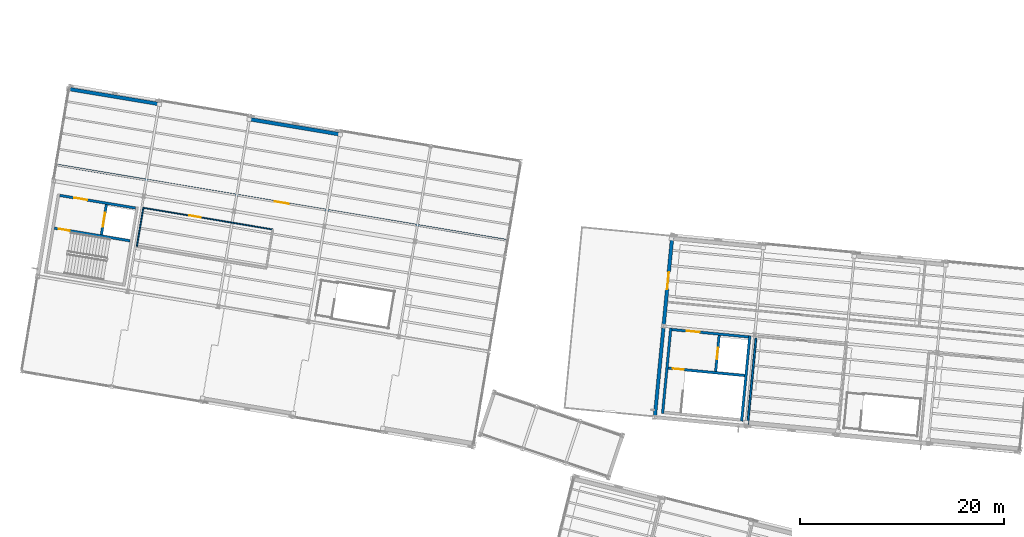
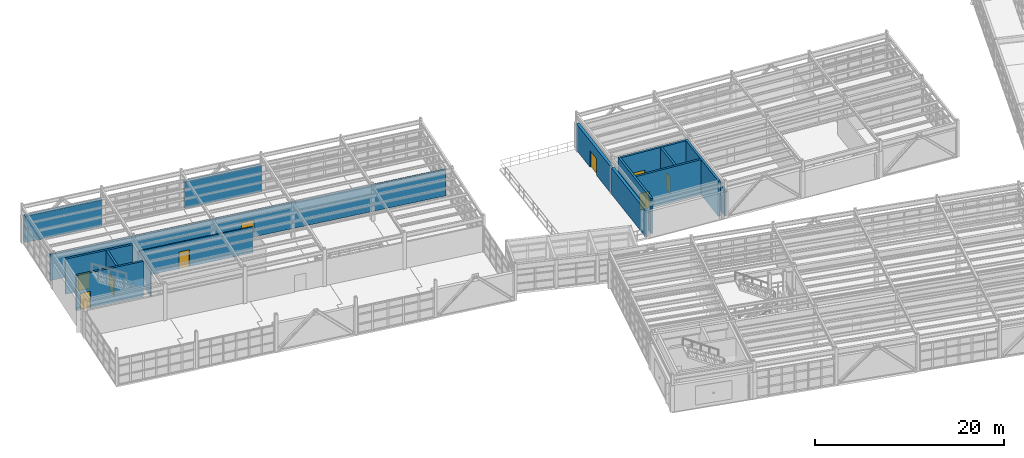
# One storey, part 88 of 102: 16 walls, 9 doors, 9 openings.
"""IFC4 building model written with IfcOpenShell, lengths in metres."""

from ifc_helpers import new_model, si_unit, direction, frame, frame_2d, origin, origin_with_axes, place, context, subcontext, project, spatial, rectangle, extrude, material, layer, layer_set, type_object, element, fill, save


model = new_model("IFC4")

# Units and contexts
model_context = context("Model", 3, precision=1e-05, world=origin(), true_north=direction((0.0, 1.0)))
body_context = subcontext(model_context, "Body", "Model", "MODEL_VIEW")
ifc_project = project(units=[si_unit("LENGTHUNIT", "METRE"), si_unit("AREAUNIT", "SQUARE_METRE"), si_unit("VOLUMEUNIT", "CUBIC_METRE"), si_unit("PLANEANGLEUNIT", "RADIAN"), si_unit("MASSUNIT", "GRAM", prefix="KILO")], contexts=[model_context])

# Site, building, storey
site_placement = place(None, origin())
site = spatial("IfcSite", under=ifc_project, at=site_placement, CompositionType="ELEMENT")
building_placement = place(site_placement, origin())
building = spatial("IfcBuilding", under=site, at=building_placement, Name="Vireo Bluff Cable Station", CompositionType="ELEMENT")
storey_placement = place(building_placement, frame((0.0, 0.0, 9.60009765625)))
storey = spatial("IfcBuildingStorey", under=building, at=storey_placement, Name="L02", CompositionType="ELEMENT", Elevation=9.60009765625)

# Wall
ifc_material_1 = material(Name="Precast concrete f'c 45 MPa", Category="concrete")
ifc_layer_1 = layer(ifc_material_1, 0.340087890625, Name="Precast concrete f'c 45 MPa")
ifc_layer_set_1 = layer_set([ifc_layer_1], Name="Precast concrete f'c 45 MPa")
wall_type_1 = type_object("IfcWallType", Name="EW-PRECAST-340", PredefinedType="SOLIDWALL", material=ifc_layer_set_1)
wall_1_placement = place(storey_placement, frame((67.753662109375, 67.16650390625, 0.0), z_axis=(0.0, 0.0, 1.0), x_axis=(0.095847112908, 0.995396067376, 0.0)))
element("IfcWall", 1, at=wall_1_placement, inside=storey, type_object=wall_type_1, Name="V3 L02 west exterior wall 61", PredefinedType="SOLIDWALL", context=body_context, shape_type="SweptSolid", body=[
    extrude(rectangle(XDim=8.66796875, YDim=0.340087890625, at=frame_2d((4.333984375, 0.0))), origin(), (0.0, 0.0, 1.0), 3.39990234375),
])

# Wall, opening, door
ifc_layer_2 = layer(ifc_material_1, 0.35009765625, Name="Precast concrete f'c 45 MPa")
ifc_layer_set_2 = layer_set([ifc_layer_2], Name="Precast concrete f'c 45 MPa")
wall_type_2 = type_object("IfcWallType", Name="EW-PRECAST-350", PredefinedType="SOLIDWALL", material=ifc_layer_set_2)
wall_2_placement = place(storey_placement, frame((68.616943359375, 76.130126953125, 0.0), z_axis=(0.0, 0.0, 1.0), x_axis=(0.095843582642, 0.9953964073, 0.0)))
wall_2 = element("IfcWall", 2, at=wall_2_placement, inside=storey, type_object=wall_type_2, Name="V3 L02 west exterior wall 62", PredefinedType="SOLIDWALL", context=body_context, shape_type="SweptSolid", body=[
    extrude(rectangle(XDim=8.653076171875, YDim=0.35009765625, at=frame_2d((4.32666015625, 0.0))), origin(), (0.0, 0.0, 1.0), 3.39990234375),
])
opening_1_placement = place(wall_2_placement, frame((3.4765625, 0.0, 0.0)))
opening_1 = element("IfcOpeningElement", 3, at=opening_1_placement, cuts=wall_2, Name="Opening TD-001", PredefinedType="OPENING", context=body_context, shape_type="SweptSolid", body=[
    extrude(rectangle(XDim=1.699951171875, YDim=2.14990234375, at=frame_2d((0.85009765625, 1.074951171875))), frame((0.0, 0.18505859375, 0.0), z_axis=(0.0, -1.0, 0.0), x_axis=(1.0, 0.0, 0.0)), (0.0, 0.0, 1.0), 0.3701171875),
])
ifc_material_2 = material(Name="Anodized Aluminium 6063-T6", Category="aluminium")
door_type_1 = type_object("IfcDoorType", Name="TDOOR-1700X2150", OperationType="NOTDEFINED", PredefinedType="DOOR", material=ifc_material_2)
door_1_placement = place(opening_1_placement, origin_with_axes())
door_1 = element("IfcDoor", 4, at=door_1_placement, inside=storey, type_object=door_type_1, Name="V3 L02 terrace access door TD-001", OperationType="SINGLE_SWING_RIGHT", OverallHeight=2.14990234375, OverallWidth=1.699951171875, PredefinedType="DOOR", context=body_context, shape_type="SweptSolid", body=[
    extrude(rectangle(XDim=1.699951171875, YDim=2.14990234375, at=frame_2d((0.85009765625, 1.074951171875))), frame((0.0, 0.02490234375, 0.0), z_axis=(0.0, -1.0, 0.0), x_axis=(1.0, 0.0, 0.0)), (0.0, 0.0, 1.0), 0.050048828125),
])
fill(opening_1, door_1)

# Walls
wall_3_placement = place(storey_placement, frame((10.275390625, 99.25244140625, 0.0), z_axis=(0.0, 0.0, 1.0), x_axis=(0.986283882276, -0.165057879432, 0.0)))
element("IfcWall", 5, at=wall_3_placement, inside=storey, type_object=wall_type_2, Name="V4 L02 north exterior wall 82", PredefinedType="SOLIDWALL", context=body_context, shape_type="SweptSolid", body=[
    extrude(rectangle(XDim=8.7119140625, YDim=0.35009765625, at=frame_2d((4.35595703125, 0.0))), origin(), (0.0, 0.0, 1.0), 3.39990234375),
])
ifc_layer_3 = layer(ifc_material_1, 0.360107421875, Name="Precast concrete f'c 45 MPa")
ifc_layer_set_3 = layer_set([ifc_layer_3], Name="Precast concrete f'c 45 MPa")
wall_type_3 = type_object("IfcWallType", Name="EW-PRECAST-360", PredefinedType="SOLIDWALL", material=ifc_layer_set_3)
wall_4_placement = place(storey_placement, frame((28.05517578125, 96.277099609375, 0.0), z_axis=(0.0, 0.0, 1.0), x_axis=(0.986286953928, -0.16503952409, 0.0)))
element("IfcWall", 6, at=wall_4_placement, inside=storey, type_object=wall_type_3, Name="V4 L02 north exterior wall 83", PredefinedType="SOLIDWALL", context=body_context, shape_type="SweptSolid", body=[
    extrude(rectangle(XDim=8.71435546875, YDim=0.360107421875, at=frame_2d((4.357177734375, 0.0))), origin(), (0.0, 0.0, 1.0), 3.39990234375),
])

# Wall, opening, door
ifc_material_3 = material(Name="Fire-Rated Gypsum Board Partition")
ifc_layer_4 = layer(ifc_material_3, 0.110107421875, Name="Fire-Rated Gypsum Board Partition")
ifc_layer_set_4 = layer_set([ifc_layer_4], Name="Fire-Rated Gypsum Board Partition")
wall_type_4 = type_object("IfcWallType", Name="PT-1HR-110", PredefinedType="PARTITIONING", material=ifc_layer_set_4)
wall_5_placement = place(storey_placement, frame((17.470703125, 87.594970703125, 0.0), z_axis=(0.0, 0.0, 1.0), x_axis=(0.986284755488, -0.165052661574, 0.0)))
wall_5 = element("IfcWall", 7, at=wall_5_placement, inside=storey, type_object=wall_type_4, Name="V4 L02 Carrier Dispatch Control Booth N partition", PredefinedType="PARTITIONING", context=body_context, shape_type="SweptSolid", body=[
    extrude(rectangle(XDim=12.89990234375, YDim=0.110107421875, at=frame_2d((6.449951171875, 0.0))), origin(), (0.0, 0.0, 1.0), 3.3798828125),
])
opening_2_placement = place(wall_5_placement, frame((4.572998046875, 0.0, 0.0)))
opening_2 = element("IfcOpeningElement", 8, at=opening_2_placement, cuts=wall_5, Name="Opening D-0097", PredefinedType="OPENING", context=body_context, shape_type="SweptSolid", body=[
    extrude(rectangle(XDim=1.14990234375, YDim=2.14990234375, at=frame_2d((0.574951171875, 1.074951171875))), frame((0.0, 0.06494140625, 0.0), z_axis=(0.0, -1.0, 0.0), x_axis=(1.0, 0.0, 0.0)), (0.0, 0.0, 1.0), 0.130126953125),
])
door_type_2 = type_object("IfcDoorType", Name="IDOOR60-1150X2150", OperationType="NOTDEFINED", PredefinedType="DOOR", material=ifc_material_2)
door_2_placement = place(opening_2_placement, origin_with_axes())
door_2 = element("IfcDoor", 9, at=door_2_placement, inside=storey, type_object=door_type_2, Name="V4 L02 Carrier Dispatch Control Booth door D-0097", OperationType="SINGLE_SWING_RIGHT", OverallHeight=2.14990234375, OverallWidth=1.14990234375, PredefinedType="DOOR", context=body_context, shape_type="SweptSolid", body=[
    extrude(rectangle(XDim=1.14990234375, YDim=2.14990234375, at=frame_2d((0.574951171875, 1.074951171875))), frame((0.0, 0.02490234375, 0.0), z_axis=(0.0, -1.0, 0.0), x_axis=(1.0, 0.0, 0.0)), (0.0, 0.0, 1.0), 0.050048828125),
])
fill(opening_2, door_2)

# Walls
ifc_layer_5 = layer(ifc_material_3, 0.1201171875, Name="Fire-Rated Gypsum Board Partition")
ifc_layer_set_5 = layer_set([ifc_layer_5], Name="Fire-Rated Gypsum Board Partition")
wall_type_5 = type_object("IfcWallType", Name="PT-1HR-120", PredefinedType="PARTITIONING", material=ifc_layer_set_5)
wall_6_placement = place(storey_placement, frame((16.835205078125, 83.7978515625, 0.0), z_axis=(0.0, 0.0, 1.0), x_axis=(0.165067370347, 0.986282293893, 0.0)))
element("IfcWall", 10, at=wall_6_placement, inside=storey, type_object=wall_type_5, Name="V4 L02 Carrier Dispatch Control Booth W partition", PredefinedType="PARTITIONING", context=body_context, shape_type="SweptSolid", body=[
    extrude(rectangle(XDim=3.849853515625, YDim=0.1201171875, at=frame_2d((1.9248046875, 0.0))), origin(), (0.0, 0.0, 1.0), 3.3798828125),
])
ifc_layer_6 = layer(ifc_material_3, 0.18994140625, Name="Fire-Rated Gypsum Board Partition")
ifc_layer_set_6 = layer_set([ifc_layer_6], Name="Fire-Rated Gypsum Board Partition")
wall_type_6 = type_object("IfcWallType", Name="PT-1HR-190", PredefinedType="PARTITIONING", material=ifc_layer_set_6)
wall_7_placement = place(storey_placement, frame((76.8623046875, 66.296142578125, 0.0), z_axis=(0.0, 0.0, 1.0), x_axis=(0.095853111028, 0.995395489796, 0.0)))
element("IfcWall", 11, at=wall_7_placement, inside=storey, type_object=wall_type_6, Name="V3 L02 Panorama Dining Room W partition", PredefinedType="PARTITIONING", context=body_context, shape_type="SweptSolid", body=[
    extrude(rectangle(XDim=8.530029296875, YDim=0.18994140625, at=frame_2d((4.26513671875, 0.0))), origin(), (0.0, 0.0, 1.0), 3.3798828125),
])

# Wall, opening, door
ifc_layer_7 = layer(ifc_material_3, 0.199951171875, Name="Fire-Rated Gypsum Board Partition")
ifc_layer_set_7 = layer_set([ifc_layer_7], Name="Fire-Rated Gypsum Board Partition")
wall_type_7 = type_object("IfcWallType", Name="PT-2HR-200", PredefinedType="PARTITIONING", material=ifc_layer_set_7)
wall_8_placement = place(storey_placement, frame((53.115234375, 84.41845703125, 0.0), z_axis=(0.0, 0.0, 1.0), x_axis=(-0.986286301143, 0.165043425126, 0.0)))
wall_8 = element("IfcWall", 12, at=wall_8_placement, inside=storey, type_object=wall_type_7, Name="V4 L02 Cabin Garage North Spur Loop S partition", PredefinedType="PARTITIONING", context=body_context, shape_type="SweptSolid", body=[
    extrude(rectangle(XDim=44.66015625, YDim=0.199951171875, at=frame_2d((22.330078125, 0.0))), origin(), (0.0, 0.0, 1.0), 3.3798828125),
])
opening_3_placement = place(wall_8_placement, frame((21.6298828125, 0.0, 0.0)))
opening_3 = element("IfcOpeningElement", 13, at=opening_3_placement, cuts=wall_8, Name="Opening D-0096", PredefinedType="OPENING", context=body_context, shape_type="SweptSolid", body=[
    extrude(rectangle(XDim=1.39990234375, YDim=2.199951171875, at=frame_2d((0.699951171875, 1.10009765625))), frame((0.0, 0.10986328125, 0.0), z_axis=(0.0, -1.0, 0.0), x_axis=(1.0, 0.0, 0.0)), (0.0, 0.0, 1.0), 0.219970703125),
])
ifc_material_4 = material(Name="Stainless Steel 316", Category="steel")
door_type_3 = type_object("IfcDoorType", Name="IDOOR90-1400X2200", OperationType="NOTDEFINED", PredefinedType="DOOR", material=ifc_material_4)
door_3_placement = place(opening_3_placement, origin_with_axes())
door_3 = element("IfcDoor", 14, at=door_3_placement, inside=storey, type_object=door_type_3, Name="V4 L02 Cabin Garage North Spur Loop door D-0096", OperationType="SINGLE_SWING_LEFT", OverallHeight=2.199951171875, OverallWidth=1.39990234375, PredefinedType="DOOR", context=body_context, shape_type="SweptSolid", body=[
    extrude(rectangle(XDim=1.39990234375, YDim=2.199951171875, at=frame_2d((0.699951171875, 1.10009765625))), frame((0.0, 0.02490234375, 0.0), z_axis=(0.0, -1.0, 0.0), x_axis=(1.0, 0.0, 0.0)), (0.0, 0.0, 1.0), 0.050048828125),
])
fill(opening_3, door_3)

# Walls
ifc_material_5 = material(Name="Concrete f'c 40 MPa", Category="concrete")
ifc_layer_8 = layer(ifc_material_5, 0.25, Name="Concrete f'c 40 MPa")
ifc_layer_set_8 = layer_set([ifc_layer_8], Name="Concrete f'c 40 MPa")
wall_type_8 = type_object("IfcWallType", Name="SW-CORE-250", PredefinedType="SHEAR", material=ifc_layer_set_8)
for number, where, z_axis, x_axis, name in (
    (15, (68.501953125, 67.372314453125, 0.0), (0.0, 0.0, 1.0), (0.095832083117, 0.995397514486, 0.0), "CORE-1 L02 core W shear wall"),
    (16, (76.26611328125, 66.624755859375, 0.0), (0.0, 0.0, 1.0), (0.095832083117, 0.995397514486, 0.0), "CORE-1 L02 core E shear wall"),
):
    element("IfcWall", number, at=place(storey_placement, frame(where, z_axis=z_axis, x_axis=x_axis)), inside=storey, type_object=wall_type_8, Name=name, PredefinedType="SHEAR", context=body_context, shape_type="SweptSolid", body=[
        extrude(rectangle(XDim=8.43505859375, YDim=0.25, at=frame_2d((4.217529296875, 0.0))), origin(), (0.0, 0.0, 1.0), 4.539794921875),
    ])

# Wall, opening, door
wall_9_placement = place(storey_placement, frame((76.572509765625, 71.111083984375, 0.0), z_axis=(0.0, 0.0, 1.0), x_axis=(-0.995396401267, 0.095843645303, 0.0)))
wall_9 = element("IfcWall", 17, at=wall_9_placement, inside=storey, type_object=wall_type_8, Name="CORE-1 L02 stair shaft north shear wall", PredefinedType="SHEAR", context=body_context, shape_type="SweptSolid", body=[
    extrude(rectangle(XDim=7.550048828125, YDim=0.25, at=frame_2d((3.77490234375, 0.0))), origin(), (0.0, 0.0, 1.0), 4.539794921875),
])
opening_4_placement = place(wall_9_placement, frame((6.0, 0.0, 0.0)))
opening_4 = element("IfcOpeningElement", 18, at=opening_4_placement, cuts=wall_9, Name="Opening SD-005", PredefinedType="OPENING", context=body_context, shape_type="SweptSolid", body=[
    extrude(rectangle(XDim=1.10009765625, YDim=2.14990234375, at=frame_2d((0.550048828125, 1.074951171875))), frame((0.0, 0.135009765625, 0.0), z_axis=(0.0, -1.0, 0.0), x_axis=(1.0, 0.0, 0.0)), (0.0, 0.0, 1.0), 0.27001953125),
])
door_type_4 = type_object("IfcDoorType", Name="IDOOR90-1100X2150", OperationType="NOTDEFINED", PredefinedType="DOOR", material=ifc_material_4)
door_4_placement = place(opening_4_placement, origin_with_axes())
door_4 = element("IfcDoor", 19, at=door_4_placement, inside=storey, type_object=door_type_4, Name="CORE-1 L02 stair fire door SD-005", OperationType="SINGLE_SWING_RIGHT", OverallHeight=2.14990234375, OverallWidth=1.10009765625, PredefinedType="DOOR", context=body_context, shape_type="SweptSolid", body=[
    extrude(rectangle(XDim=1.10009765625, YDim=2.14990234375, at=frame_2d((0.550048828125, 1.074951171875))), frame((0.0, 0.02490234375, 0.0), z_axis=(0.0, -1.0, 0.0), x_axis=(1.0, 0.0, 0.0)), (0.0, 0.0, 1.0), 0.050048828125),
])
fill(opening_4, door_4)

wall_10_placement = place(storey_placement, frame((76.93798828125, 74.908447265625, 0.0), z_axis=(0.0, 0.0, 1.0), x_axis=(-0.995396104215, 0.095846730326, 0.0)))
wall_10 = element("IfcWall", 20, at=wall_10_placement, inside=storey, type_object=wall_type_8, Name="CORE-1 L02 core north shear wall", PredefinedType="SHEAR", context=body_context, shape_type="SweptSolid", body=[
    extrude(rectangle(XDim=7.5498046875, YDim=0.25, at=frame_2d((3.77490234375, 0.0))), origin(), (0.0, 0.0, 1.0), 4.539794921875),
])
opening_5_placement = place(wall_10_placement, frame((4.800048828125, 0.0, 0.0)))
opening_5 = element("IfcOpeningElement", 21, at=opening_5_placement, cuts=wall_10, Name="Opening FD-006", PredefinedType="OPENING", context=body_context, shape_type="SweptSolid", body=[
    extrude(rectangle(XDim=1.300048828125, YDim=2.14990234375, at=frame_2d((0.64990234375, 1.074951171875))), frame((0.0, 0.135009765625, 0.0), z_axis=(0.0, -1.0, 0.0), x_axis=(1.0, 0.0, 0.0)), (0.0, 0.0, 1.0), 0.27001953125),
])
door_type_5 = type_object("IfcDoorType", Name="IDOOR90-1300X2150", OperationType="NOTDEFINED", PredefinedType="DOOR", material=ifc_material_4)
door_5_placement = place(opening_5_placement, origin_with_axes())
door_5 = element("IfcDoor", 22, at=door_5_placement, inside=storey, type_object=door_type_5, Name="CORE-1 L02 firefighting lobby door FD-006", OperationType="SINGLE_SWING_LEFT", OverallHeight=2.14990234375, OverallWidth=1.300048828125, PredefinedType="DOOR", context=body_context, shape_type="SweptSolid", body=[
    extrude(rectangle(XDim=1.300048828125, YDim=2.14990234375, at=frame_2d((0.64990234375, 1.074951171875))), frame((0.0, 0.02490234375, 0.0), z_axis=(0.0, -1.0, 0.0), x_axis=(1.0, 0.0, 0.0)), (0.0, 0.0, 1.0), 0.050048828125),
])
fill(opening_5, door_5)

wall_11_placement = place(storey_placement, frame((73.72265625, 71.510986328125, 0.0), z_axis=(0.0, 0.0, 1.0), x_axis=(0.095807665029, 0.99539986504, 0.0)))
wall_11 = element("IfcWall", 23, at=wall_11_placement, inside=storey, type_object=wall_type_8, Name="CORE-1 L02 lift shaft front wall", PredefinedType="SHEAR", context=body_context, shape_type="SweptSolid", body=[
    extrude(rectangle(XDim=3.56494140625, YDim=0.25, at=frame_2d((1.782470703125, 0.0))), origin(), (0.0, 0.0, 1.0), 4.539794921875),
])
opening_6_placement = place(wall_11_placement, frame((1.232421875, 0.0, 0.0)))
opening_6 = element("IfcOpeningElement", 24, at=opening_6_placement, cuts=wall_11, Name="Opening LD-003", PredefinedType="OPENING", context=body_context, shape_type="SweptSolid", body=[
    extrude(rectangle(XDim=1.10009765625, YDim=2.14990234375, at=frame_2d((0.550048828125, 1.074951171875))), frame((0.0, 0.135009765625, 0.0), z_axis=(0.0, -1.0, 0.0), x_axis=(1.0, 0.0, 0.0)), (0.0, 0.0, 1.0), 0.27001953125),
])
door_type_6 = type_object("IfcDoorType", Name="LIFTDOOR-1100X2150", OperationType="DOUBLE_DOOR_SLIDING", PredefinedType="DOOR", material=ifc_material_4)
door_6_placement = place(opening_6_placement, origin_with_axes())
door_6 = element("IfcDoor", 25, at=door_6_placement, inside=storey, type_object=door_type_6, Name="CORE-1 L02 lift sliding landing door LD-003", OperationType="DOUBLE_DOOR_SLIDING", OverallHeight=2.14990234375, OverallWidth=1.10009765625, PredefinedType="DOOR", context=body_context, shape_type="SweptSolid", body=[
    extrude(rectangle(XDim=1.10009765625, YDim=2.14990234375, at=frame_2d((0.550048828125, 1.074951171875))), frame((0.0, 0.02490234375, 0.0), z_axis=(0.0, -1.0, 0.0), x_axis=(1.0, 0.0, 0.0)), (0.0, 0.0, 1.0), 0.050048828125),
])
fill(opening_6, door_6)

wall_12_placement = place(storey_placement, frame((16.167236328125, 84.3505859375, 0.0), z_axis=(0.0, 0.0, 1.0), x_axis=(-0.986286216974, 0.165043928115, 0.0)))
wall_12 = element("IfcWall", 26, at=wall_12_placement, inside=storey, type_object=wall_type_8, Name="CORE-3 L02 stair shaft north shear wall", PredefinedType="SHEAR", context=body_context, shape_type="SweptSolid", body=[
    extrude(rectangle(XDim=7.550048828125, YDim=0.25, at=frame_2d((3.77490234375, 0.0))), origin(), (0.0, 0.0, 1.0), 4.539794921875),
])
opening_7_placement = place(wall_12_placement, frame((6.0, 0.0, 0.0)))
opening_7 = element("IfcOpeningElement", 27, at=opening_7_placement, cuts=wall_12, Name="Opening SD-021", PredefinedType="OPENING", context=body_context, shape_type="SweptSolid", body=[
    extrude(rectangle(XDim=1.10009765625, YDim=2.14990234375, at=frame_2d((0.550048828125, 1.074951171875))), frame((0.0, 0.135009765625, 0.0), z_axis=(0.0, -1.0, 0.0), x_axis=(1.0, 0.0, 0.0)), (0.0, 0.0, 1.0), 0.27001953125),
])
door_7_placement = place(opening_7_placement, origin_with_axes())
door_7 = element("IfcDoor", 28, at=door_7_placement, inside=storey, type_object=door_type_4, Name="CORE-3 L02 stair fire door SD-021", OperationType="SINGLE_SWING_RIGHT", OverallHeight=2.14990234375, OverallWidth=1.10009765625, PredefinedType="DOOR", context=body_context, shape_type="SweptSolid", body=[
    extrude(rectangle(XDim=1.10009765625, YDim=2.14990234375, at=frame_2d((0.550048828125, 1.074951171875))), frame((0.0, 0.02490234375, 0.0), z_axis=(0.0, -1.0, 0.0), x_axis=(1.0, 0.0, 0.0)), (0.0, 0.0, 1.0), 0.050048828125),
])
fill(opening_7, door_7)

wall_13_placement = place(storey_placement, frame((16.7060546875, 87.57080078125, 0.0), z_axis=(0.0, 0.0, 1.0), x_axis=(-0.98628533611, 0.165049191984, 0.0)))
wall_13 = element("IfcWall", 29, at=wall_13_placement, inside=storey, type_object=wall_type_8, Name="CORE-3 L02 core north shear wall", PredefinedType="SHEAR", context=body_context, shape_type="SweptSolid", body=[
    extrude(rectangle(XDim=7.5498046875, YDim=0.25, at=frame_2d((3.77490234375, 0.0))), origin(), (0.0, 0.0, 1.0), 4.539794921875),
])
opening_8_placement = place(wall_13_placement, frame((4.800048828125, 0.0, 0.0)))
opening_8 = element("IfcOpeningElement", 30, at=opening_8_placement, cuts=wall_13, Name="Opening FD-022", PredefinedType="OPENING", context=body_context, shape_type="SweptSolid", body=[
    extrude(rectangle(XDim=1.300048828125, YDim=2.14990234375, at=frame_2d((0.64990234375, 1.074951171875))), frame((0.0, 0.135009765625, 0.0), z_axis=(0.0, -1.0, 0.0), x_axis=(1.0, 0.0, 0.0)), (0.0, 0.0, 1.0), 0.27001953125),
])
door_8_placement = place(opening_8_placement, origin_with_axes())
door_8 = element("IfcDoor", 31, at=door_8_placement, inside=storey, type_object=door_type_5, Name="CORE-3 L02 firefighting lobby door FD-022", OperationType="SINGLE_SWING_LEFT", OverallHeight=2.14990234375, OverallWidth=1.300048828125, PredefinedType="DOOR", context=body_context, shape_type="SweptSolid", body=[
    extrude(rectangle(XDim=1.300048828125, YDim=2.14990234375, at=frame_2d((0.64990234375, 1.074951171875))), frame((0.0, 0.02490234375, 0.0), z_axis=(0.0, -1.0, 0.0), x_axis=(1.0, 0.0, 0.0)), (0.0, 0.0, 1.0), 0.050048828125),
])
fill(opening_8, door_8)

wall_14_placement = place(storey_placement, frame((13.352294921875, 84.948486328125, 0.0), z_axis=(0.0, 0.0, 1.0), x_axis=(0.165029254052, 0.986288672401, 0.0)))
wall_14 = element("IfcWall", 32, at=wall_14_placement, inside=storey, type_object=wall_type_8, Name="CORE-3 L02 lift shaft front wall", PredefinedType="SHEAR", context=body_context, shape_type="SweptSolid", body=[
    extrude(rectangle(XDim=3.014892578125, YDim=0.25, at=frame_2d((1.50732421875, 0.0))), origin(), (0.0, 0.0, 1.0), 4.539794921875),
])
opening_9_placement = place(wall_14_placement, frame((0.8076171875, 0.0, 0.0)))
opening_9 = element("IfcOpeningElement", 33, at=opening_9_placement, cuts=wall_14, Name="Opening LD-011", PredefinedType="OPENING", context=body_context, shape_type="SweptSolid", body=[
    extrude(rectangle(XDim=1.39990234375, YDim=2.14990234375, at=frame_2d((0.699951171875, 1.074951171875))), frame((0.0, 0.135009765625, 0.0), z_axis=(0.0, -1.0, 0.0), x_axis=(1.0, 0.0, 0.0)), (0.0, 0.0, 1.0), 0.27001953125),
])
door_type_7 = type_object("IfcDoorType", Name="LIFTDOOR-1400X2200", OperationType="DOUBLE_DOOR_SLIDING", PredefinedType="DOOR", material=ifc_material_4)
door_9_placement = place(opening_9_placement, origin_with_axes())
door_9 = element("IfcDoor", 34, at=door_9_placement, inside=storey, type_object=door_type_7, Name="CORE-3 L02 lift sliding landing door LD-011", OperationType="DOUBLE_DOOR_SLIDING", OverallHeight=2.14990234375, OverallWidth=1.39990234375, PredefinedType="DOOR", context=body_context, shape_type="SweptSolid", body=[
    extrude(rectangle(XDim=1.39990234375, YDim=2.14990234375, at=frame_2d((0.699951171875, 1.074951171875))), frame((0.0, 0.02490234375, 0.0), z_axis=(0.0, -1.0, 0.0), x_axis=(1.0, 0.0, 0.0)), (0.0, 0.0, 1.0), 0.050048828125),
])
fill(opening_9, door_9)

save(model, "model.ifc")
